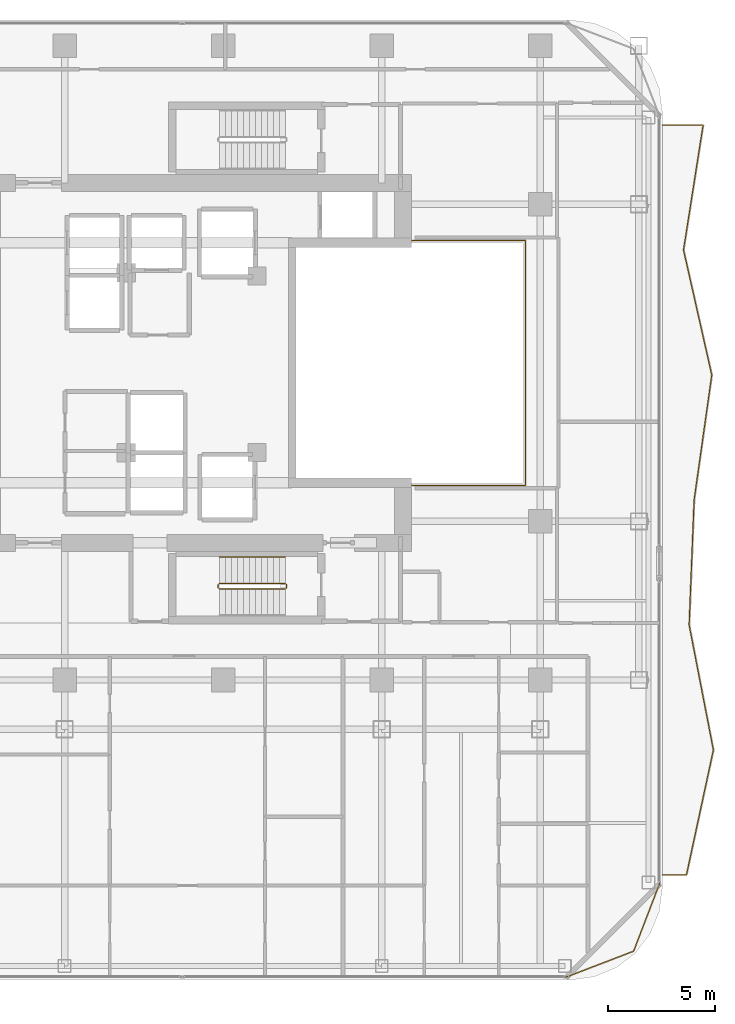
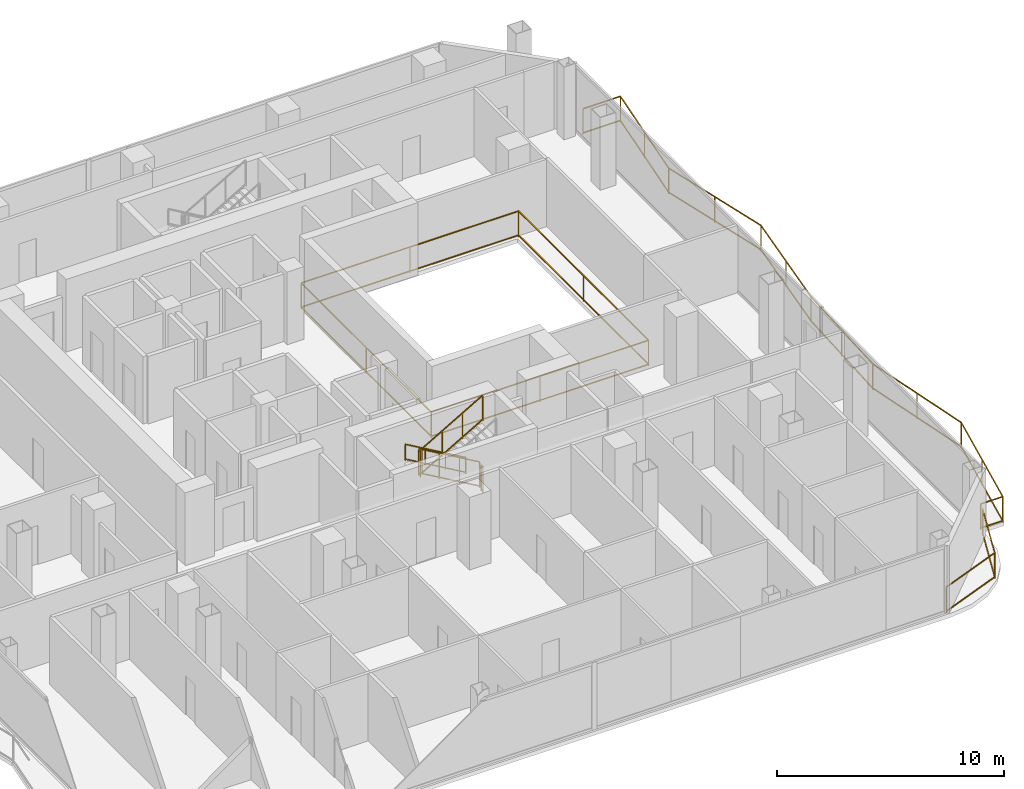
# One storey, part 22 of 23: 8 railings.
"""IFC4 building model written with IfcOpenShell, lengths in metres."""

from ifc_helpers import new_model, si_unit, direction, frame, origin, origin_2d, place, context, subcontext, project, spatial, rectangle, extrude, material, type_object, element, save


model = new_model("IFC4")

# Units and contexts
model_context = context("Model", 3, precision=1e-05, world=origin(), true_north=direction((0.0, 1.0)))
body_context = subcontext(model_context, "Body", "Model", "MODEL_VIEW")
ifc_project = project(units=[si_unit("LENGTHUNIT", "METRE"), si_unit("AREAUNIT", "SQUARE_METRE"), si_unit("VOLUMEUNIT", "CUBIC_METRE"), si_unit("PLANEANGLEUNIT", "RADIAN"), si_unit("MASSUNIT", "GRAM", prefix="KILO")], contexts=[model_context])

# Site, building, storey
site_placement = place(None, origin())
site = spatial("IfcSite", under=ifc_project, at=site_placement, CompositionType="ELEMENT")
building_placement = place(site_placement, origin())
building = spatial("IfcBuilding", under=site, at=building_placement, Name="Khorvyn Point Tower", CompositionType="ELEMENT")
storey_placement = place(building_placement, frame((0.0, 0.0, 207.0)))
storey = spatial("IfcBuildingStorey", under=building, at=storey_placement, Name="L51", CompositionType="ELEMENT", Elevation=207.0)

# Railings
ifc_material_1 = material(Name="Stainless steel 1.4401 and laminated glass", Category="steel")
railing_type_1 = type_object("IfcRailingType", Name="Crystal Atrium Smoke-Rated Perimeter Guardrail 1400", PredefinedType="GUARDRAIL", material=ifc_material_1)
railing_1_placement = place(storey_placement, frame((3.080078125, -5.719970703125, 0.0)))
element("IfcRailing", 1, at=railing_1_placement, inside=storey, type_object=railing_type_1, Name="L51 Crystal Atrium Perimeter Guardrail", PredefinedType="GUARDRAIL", context=body_context, shape_type="SweptSolid", body=[
    extrude(rectangle(XDim=0.048095703125, YDim=0.048095703125, at=origin_2d()), frame((0.0, 0.0, 1.3759765625), z_axis=(1.0, 0.0, 0.0), x_axis=(0.0, 1.0, 0.0)), (0.0, 0.0, 1.0), 11.0400390625),
    extrude(rectangle(XDim=0.048095703125, YDim=0.048095703125, at=origin_2d()), frame((0.0, 0.0, 0.080078125), z_axis=(1.0, 0.0, 0.0), x_axis=(0.0, 1.0, 0.0)), (0.0, 0.0, 1.0), 11.0400390625),
    extrude(rectangle(XDim=0.048095703125, YDim=0.048095703125, at=origin_2d()), frame((11.0400390625, 0.0, 1.3759765625), z_axis=(0.0, 1.0, 0.0), x_axis=(-1.0, 0.0, 0.0)), (0.0, 0.0, 1.0), 11.43994140625),
    extrude(rectangle(XDim=0.048095703125, YDim=0.048095703125, at=origin_2d()), frame((11.0400390625, 0.0, 0.080078125), z_axis=(0.0, 1.0, 0.0), x_axis=(-1.0, 0.0, 0.0)), (0.0, 0.0, 1.0), 11.43994140625),
    extrude(rectangle(XDim=0.048095703125, YDim=0.048095703125, at=origin_2d()), frame((11.0400390625, 11.43994140625, 1.3759765625), z_axis=(-1.0, 0.0, 0.0), x_axis=(0.0, -1.0, 0.0)), (0.0, 0.0, 1.0), 11.0400390625),
    extrude(rectangle(XDim=0.048095703125, YDim=0.048095703125, at=origin_2d()), frame((11.0400390625, 11.43994140625, 0.080078125), z_axis=(-1.0, 0.0, 0.0), x_axis=(0.0, -1.0, 0.0)), (0.0, 0.0, 1.0), 11.0400390625),
    extrude(rectangle(XDim=0.048095703125, YDim=0.048095703125, at=origin_2d()), frame((0.0, 11.43994140625, 1.3759765625), z_axis=(0.0, -1.0, 0.0), x_axis=(1.0, 0.0, 0.0)), (0.0, 0.0, 1.0), 11.409912109375),
    extrude(rectangle(XDim=0.048095703125, YDim=0.048095703125, at=origin_2d()), frame((0.0, 11.43994140625, 0.080078125), z_axis=(0.0, -1.0, 0.0), x_axis=(1.0, 0.0, 0.0)), (0.0, 0.0, 1.0), 11.409912109375),
    extrude(rectangle(XDim=0.0419921875, YDim=0.0419921875, at=origin_2d()), origin(), (0.0, 0.0, 1.0), 1.351806640625),
    extrude(rectangle(XDim=0.0419921875, YDim=0.0419921875, at=origin_2d()), frame((5.52001953125, 0.0, 0.0)), (0.0, 0.0, 1.0), 1.351806640625),
    extrude(rectangle(XDim=0.0419921875, YDim=0.0419921875, at=origin_2d()), frame((11.0400390625, 0.0, 0.0)), (0.0, 0.0, 1.0), 1.351806640625),
    extrude(rectangle(XDim=0.0419921875, YDim=0.0419921875, at=origin_2d()), frame((11.0400390625, 5.719970703125, 0.0)), (0.0, 0.0, 1.0), 1.351806640625),
    extrude(rectangle(XDim=0.0419921875, YDim=0.0419921875, at=origin_2d()), frame((11.0400390625, 11.43994140625, 0.0)), (0.0, 0.0, 1.0), 1.351806640625),
    extrude(rectangle(XDim=0.0419921875, YDim=0.0419921875, at=origin_2d()), frame((5.52001953125, 11.43994140625, 0.0)), (0.0, 0.0, 1.0), 1.351806640625),
    extrude(rectangle(XDim=0.0419921875, YDim=0.0419921875, at=origin_2d()), frame((0.0, 11.43994140625, 0.0)), (0.0, 0.0, 1.0), 1.351806640625),
    extrude(rectangle(XDim=0.0419921875, YDim=0.0419921875, at=origin_2d()), frame((0.0, 5.73486328125, 0.0)), (0.0, 0.0, 1.0), 1.351806640625),
    extrude(rectangle(XDim=0.0419921875, YDim=0.0419921875, at=origin_2d()), frame((0.0, 0.030029296875, 0.0)), (0.0, 0.0, 1.0), 1.351806640625),
])
ifc_material_2 = material(Name="Anodised aluminium 6063-T6 and laminated safety glass", Category="aluminium")
railing_type_2 = type_object("IfcRailingType", Name="Laminated Glass and Aluminium Balcony Guardrail 1400", PredefinedType="BALUSTRADE", material=ifc_material_2)
railing_2_placement = place(storey_placement, frame((15.981201171875, -28.67431640625, 0.0)))
element("IfcRailing", 2, at=railing_2_placement, inside=storey, type_object=railing_type_2, Name="L51 Rounded Corner Edge Guardrail SE", PredefinedType="BALUSTRADE", context=body_context, shape_type="SweptSolid", body=[
    extrude(rectangle(XDim=0.048095703125, YDim=0.048095703125, at=origin_2d()), frame((0.0, 0.0, 1.3759765625), z_axis=(0.933589651443, 0.358343916815, 0.0), x_axis=(-0.358343916815, 0.933589651443, 0.0)), (0.0, 0.0, 1.0), 3.400390625),
    extrude(rectangle(XDim=0.048095703125, YDim=0.048095703125, at=origin_2d()), frame((0.0, 0.0, 0.080078125), z_axis=(0.933589651443, 0.358343916815, 0.0), x_axis=(-0.358343916815, 0.933589651443, 0.0)), (0.0, 0.0, 1.0), 3.400390625),
    extrude(rectangle(XDim=0.048095703125, YDim=0.048095703125, at=origin_2d()), frame((3.174560546875, 1.218505859375, 1.3759765625), z_axis=(0.358343916815, 0.933589651443, 0.0), x_axis=(-0.933589651443, 0.358343916815, 0.0)), (0.0, 0.0, 1.0), 3.400390625),
    extrude(rectangle(XDim=0.048095703125, YDim=0.048095703125, at=origin_2d()), frame((3.174560546875, 1.218505859375, 0.080078125), z_axis=(0.358343916815, 0.933589651443, 0.0), x_axis=(-0.933589651443, 0.358343916815, 0.0)), (0.0, 0.0, 1.0), 3.400390625),
    extrude(rectangle(XDim=0.0419921875, YDim=0.0419921875, at=origin_2d()), origin(), (0.0, 0.0, 1.0), 1.351806640625),
    extrude(rectangle(XDim=0.0419921875, YDim=0.0419921875, at=origin_2d()), frame((3.174560546875, 1.218505859375, 0.0)), (0.0, 0.0, 1.0), 1.351806640625),
    extrude(rectangle(XDim=0.0419921875, YDim=0.0419921875, at=origin_2d()), frame((4.39306640625, 4.39306640625, 0.0)), (0.0, 0.0, 1.0), 1.351806640625),
])
railing_3_placement = place(storey_placement, frame((20.5, -23.89990234375, 0.0)))
element("IfcRailing", 3, at=railing_3_placement, inside=storey, type_object=railing_type_2, Name="L51 East Balcony Guardrail", PredefinedType="BALUSTRADE", context=body_context, shape_type="SweptSolid", body=[
    extrude(rectangle(XDim=0.048095703125, YDim=0.048095703125, at=origin_2d()), frame((0.0, 0.0, 1.3759765625), z_axis=(1.0, 0.0, 0.0), x_axis=(0.0, 1.0, 0.0)), (0.0, 0.0, 1.0), 1.11865234375),
    extrude(rectangle(XDim=0.048095703125, YDim=0.048095703125, at=origin_2d()), frame((0.0, 0.0, 0.080078125), z_axis=(1.0, 0.0, 0.0), x_axis=(0.0, 1.0, 0.0)), (0.0, 0.0, 1.0), 1.11865234375),
    extrude(rectangle(XDim=0.048095703125, YDim=0.048095703125, at=origin_2d()), frame((1.11865234375, 0.0, 1.3759765625), z_axis=(0.210939819258, 0.977499049949, 0.0), x_axis=(-0.977499049949, 0.210939819258, 0.0)), (0.0, 0.0, 1.0), 5.967529296875),
    extrude(rectangle(XDim=0.048095703125, YDim=0.048095703125, at=origin_2d()), frame((1.11865234375, 0.0, 0.080078125), z_axis=(0.210939819258, 0.977499049949, 0.0), x_axis=(-0.977499049949, 0.210939819258, 0.0)), (0.0, 0.0, 1.0), 5.967529296875),
    extrude(rectangle(XDim=0.048095703125, YDim=0.048095703125, at=origin_2d()), frame((2.37744140625, 5.833251953125, 1.3759765625), z_axis=(-0.190281248462, 0.981729619846, 0.0), x_axis=(-0.981729619846, -0.190281248462, 0.0)), (0.0, 0.0, 1.0), 5.94189453125),
    extrude(rectangle(XDim=0.048095703125, YDim=0.048095703125, at=origin_2d()), frame((2.37744140625, 5.833251953125, 0.080078125), z_axis=(-0.190281248462, 0.981729619846, 0.0), x_axis=(-0.981729619846, -0.190281248462, 0.0)), (0.0, 0.0, 1.0), 5.94189453125),
    extrude(rectangle(XDim=0.048095703125, YDim=0.048095703125, at=origin_2d()), frame((1.246826171875, 11.66650390625, 1.3759765625), z_axis=(0.039769299947, 0.999208888462, 0.0), x_axis=(-0.999208888462, 0.039769299947, 0.0)), (0.0, 0.0, 1.0), 5.838134765625),
    extrude(rectangle(XDim=0.048095703125, YDim=0.048095703125, at=origin_2d()), frame((1.246826171875, 11.66650390625, 0.080078125), z_axis=(0.039769299947, 0.999208888462, 0.0), x_axis=(-0.999208888462, 0.039769299947, 0.0)), (0.0, 0.0, 1.0), 5.838134765625),
    extrude(rectangle(XDim=0.048095703125, YDim=0.048095703125, at=origin_2d()), frame((1.47900390625, 17.5, 1.3759765625), z_axis=(0.139947544031, 0.990158919022, 0.0), x_axis=(-0.990158919022, 0.139947544031, 0.0)), (0.0, 0.0, 1.0), 5.89111328125),
    extrude(rectangle(XDim=0.048095703125, YDim=0.048095703125, at=origin_2d()), frame((1.47900390625, 17.5, 0.080078125), z_axis=(0.139947544031, 0.990158919022, 0.0), x_axis=(-0.990158919022, 0.139947544031, 0.0)), (0.0, 0.0, 1.0), 5.89111328125),
    extrude(rectangle(XDim=0.048095703125, YDim=0.048095703125, at=origin_2d()), frame((2.303466796875, 23.333251953125, 1.3759765625), z_axis=(-0.2206029152, 0.975363703346, 0.0), x_axis=(-0.975363703346, -0.2206029152, 0.0)), (0.0, 0.0, 1.0), 5.980712890625),
    extrude(rectangle(XDim=0.048095703125, YDim=0.048095703125, at=origin_2d()), frame((2.303466796875, 23.333251953125, 0.080078125), z_axis=(-0.2206029152, 0.975363703346, 0.0), x_axis=(-0.975363703346, -0.2206029152, 0.0)), (0.0, 0.0, 1.0), 5.980712890625),
    extrude(rectangle(XDim=0.048095703125, YDim=0.048095703125, at=origin_2d()), frame((0.984130859375, 29.16650390625, 1.3759765625), z_axis=(0.155004956576, 0.987913692301, 0.0), x_axis=(-0.987913692301, 0.155004956576, 0.0)), (0.0, 0.0, 1.0), 5.90478515625),
    extrude(rectangle(XDim=0.048095703125, YDim=0.048095703125, at=origin_2d()), frame((0.984130859375, 29.16650390625, 0.080078125), z_axis=(0.155004956576, 0.987913692301, 0.0), x_axis=(-0.987913692301, 0.155004956576, 0.0)), (0.0, 0.0, 1.0), 5.90478515625),
    extrude(rectangle(XDim=0.048095703125, YDim=0.048095703125, at=origin_2d()), frame((1.8994140625, 35.0, 1.3759765625), z_axis=(-1.0, 0.0, 0.0), x_axis=(0.0, -1.0, 0.0)), (0.0, 0.0, 1.0), 1.8994140625),
    extrude(rectangle(XDim=0.048095703125, YDim=0.048095703125, at=origin_2d()), frame((1.8994140625, 35.0, 0.080078125), z_axis=(-1.0, 0.0, 0.0), x_axis=(0.0, -1.0, 0.0)), (0.0, 0.0, 1.0), 1.8994140625),
    extrude(rectangle(XDim=0.0419921875, YDim=0.0419921875, at=origin_2d()), origin(), (0.0, 0.0, 1.0), 1.351806640625),
    extrude(rectangle(XDim=0.0419921875, YDim=0.0419921875, at=origin_2d()), frame((1.11865234375, 0.0, 0.0)), (0.0, 0.0, 1.0), 1.351806640625),
    extrude(rectangle(XDim=0.0419921875, YDim=0.0419921875, at=origin_2d()), frame((1.748046875, 2.91650390625, 0.0)), (0.0, 0.0, 1.0), 1.351806640625),
    extrude(rectangle(XDim=0.0419921875, YDim=0.0419921875, at=origin_2d()), frame((2.37744140625, 5.833251953125, 0.0)), (0.0, 0.0, 1.0), 1.351806640625),
    extrude(rectangle(XDim=0.0419921875, YDim=0.0419921875, at=origin_2d()), frame((1.81201171875, 8.75, 0.0)), (0.0, 0.0, 1.0), 1.351806640625),
    extrude(rectangle(XDim=0.0419921875, YDim=0.0419921875, at=origin_2d()), frame((1.246826171875, 11.66650390625, 0.0)), (0.0, 0.0, 1.0), 1.351806640625),
    extrude(rectangle(XDim=0.0419921875, YDim=0.0419921875, at=origin_2d()), frame((1.36279296875, 14.583251953125, 0.0)), (0.0, 0.0, 1.0), 1.351806640625),
    extrude(rectangle(XDim=0.0419921875, YDim=0.0419921875, at=origin_2d()), frame((1.47900390625, 17.5, 0.0)), (0.0, 0.0, 1.0), 1.351806640625),
    extrude(rectangle(XDim=0.0419921875, YDim=0.0419921875, at=origin_2d()), frame((1.89111328125, 20.41650390625, 0.0)), (0.0, 0.0, 1.0), 1.351806640625),
    extrude(rectangle(XDim=0.0419921875, YDim=0.0419921875, at=origin_2d()), frame((2.303466796875, 23.333251953125, 0.0)), (0.0, 0.0, 1.0), 1.351806640625),
    extrude(rectangle(XDim=0.0419921875, YDim=0.0419921875, at=origin_2d()), frame((1.643798828125, 26.25, 0.0)), (0.0, 0.0, 1.0), 1.351806640625),
    extrude(rectangle(XDim=0.0419921875, YDim=0.0419921875, at=origin_2d()), frame((0.984130859375, 29.16650390625, 0.0)), (0.0, 0.0, 1.0), 1.351806640625),
    extrude(rectangle(XDim=0.0419921875, YDim=0.0419921875, at=origin_2d()), frame((1.44189453125, 32.083251953125, 0.0)), (0.0, 0.0, 1.0), 1.351806640625),
    extrude(rectangle(XDim=0.0419921875, YDim=0.0419921875, at=origin_2d()), frame((1.8994140625, 35.0, 0.0)), (0.0, 0.0, 1.0), 1.351806640625),
    extrude(rectangle(XDim=0.0419921875, YDim=0.0419921875, at=origin_2d()), frame((0.0, 35.0, 0.0)), (0.0, 0.0, 1.0), 1.351806640625),
])
ifc_material_3 = material(Name="Stainless steel 1.4301", Category="steel")
railing_type_3 = type_object("IfcRailingType", Name="Stainless Steel 304 Stair Pitch Handrail 900", PredefinedType="HANDRAIL", material=ifc_material_3)
railing_4_placement = place(storey_placement, frame((2.89990234375, -9.070068359375, 0.16259765625)))
element("IfcRailing", 4, at=railing_4_placement, inside=storey, type_object=railing_type_3, Name="L51 ST-01 stair handrail 1", PredefinedType="HANDRAIL", context=body_context, shape_type="SweptSolid", body=[
    extrude(rectangle(XDim=0.048095703125, YDim=0.048095703125, at=origin_2d()), frame((0.0, 0.0, 0.8759765625), z_axis=(-0.864903211148, 0.0, 0.501938676878), x_axis=(0.0, -1.0, 0.0)), (0.0, 0.0, 1.0), 3.560791015625),
    extrude(rectangle(XDim=0.048095703125, YDim=0.048095703125, at=origin_2d()), frame((0.0, 0.0, 0.080078125), z_axis=(-0.864903211148, 0.0, 0.501938676878), x_axis=(0.0, -1.0, 0.0)), (0.0, 0.0, 1.0), 3.560791015625),
    extrude(rectangle(XDim=0.0419921875, YDim=0.0419921875, at=origin_2d()), origin(), (0.0, 0.0, 1.0), 0.851806640625),
    extrude(rectangle(XDim=0.0419921875, YDim=0.0419921875, at=origin_2d()), frame((-1.026611328125, 0.0, 0.595703125)), (0.0, 0.0, 1.0), 0.851806640625),
    extrude(rectangle(XDim=0.0419921875, YDim=0.0419921875, at=origin_2d()), frame((-2.05322265625, 0.0, 1.191650390625)), (0.0, 0.0, 1.0), 0.851806640625),
    extrude(rectangle(XDim=0.0419921875, YDim=0.0419921875, at=origin_2d()), frame((-3.079833984375, 0.0, 1.787353515625)), (0.0, 0.0, 1.0), 0.851806640625),
])
railing_type_4 = type_object("IfcRailingType", Name="Stainless Steel 304 Stair Well Guardrail 1400", PredefinedType="GUARDRAIL", material=ifc_material_3)
railing_5_placement = place(storey_placement, frame((2.89990234375, -10.2900390625, 0.16259765625)))
element("IfcRailing", 5, at=railing_5_placement, inside=storey, type_object=railing_type_4, Name="L51 ST-01 stair guard 1", PredefinedType="GUARDRAIL", context=body_context, shape_type="SweptSolid", body=[
    extrude(rectangle(XDim=0.048095703125, YDim=0.048095703125, at=origin_2d()), frame((0.0, 0.0, 1.3759765625), z_axis=(-0.864903211148, 0.0, 0.501938676878), x_axis=(0.0, -1.0, 0.0)), (0.0, 0.0, 1.0), 3.560791015625),
    extrude(rectangle(XDim=0.048095703125, YDim=0.048095703125, at=origin_2d()), frame((0.0, 0.0, 0.080078125), z_axis=(-0.864903211148, 0.0, 0.501938676878), x_axis=(0.0, -1.0, 0.0)), (0.0, 0.0, 1.0), 3.560791015625),
    extrude(rectangle(XDim=0.0419921875, YDim=0.0419921875, at=origin_2d()), origin(), (0.0, 0.0, 1.0), 1.351806640625),
    extrude(rectangle(XDim=0.0419921875, YDim=0.0419921875, at=origin_2d()), frame((-1.026611328125, 0.0, 0.595703125)), (0.0, 0.0, 1.0), 1.351806640625),
    extrude(rectangle(XDim=0.0419921875, YDim=0.0419921875, at=origin_2d()), frame((-2.05322265625, 0.0, 1.191650390625)), (0.0, 0.0, 1.0), 1.351806640625),
    extrude(rectangle(XDim=0.0419921875, YDim=0.0419921875, at=origin_2d()), frame((-3.079833984375, 0.0, 1.787353515625)), (0.0, 0.0, 1.0), 1.351806640625),
])
railing_6_placement = place(storey_placement, frame((-0.22998046875, -10.340087890625, 1.949951171875)))
element("IfcRailing", 6, at=railing_6_placement, inside=storey, type_object=railing_type_4, Name="L51 ST-01 stair guard 2", PredefinedType="GUARDRAIL", context=body_context, shape_type="SweptSolid", body=[
    extrude(rectangle(XDim=0.048095703125, YDim=0.048095703125, at=origin_2d()), frame((0.0, 0.0, 1.3759765625), z_axis=(0.0, -1.0, 0.0), x_axis=(1.0, 0.0, 0.0)), (0.0, 0.0, 1.0), 0.159912109375),
    extrude(rectangle(XDim=0.048095703125, YDim=0.048095703125, at=origin_2d()), frame((0.0, 0.0, 0.080078125), z_axis=(0.0, -1.0, 0.0), x_axis=(1.0, 0.0, 0.0)), (0.0, 0.0, 1.0), 0.159912109375),
    extrude(rectangle(XDim=0.0419921875, YDim=0.0419921875, at=origin_2d()), origin(), (0.0, 0.0, 1.0), 1.351806640625),
    extrude(rectangle(XDim=0.0419921875, YDim=0.0419921875, at=origin_2d()), frame((0.0, -0.159912109375, 0.0)), (0.0, 0.0, 1.0), 1.351806640625),
])
railing_7_placement = place(storey_placement, frame((-0.179931640625, -10.550048828125, 2.112548828125)))
element("IfcRailing", 7, at=railing_7_placement, inside=storey, type_object=railing_type_4, Name="L51 ST-01 stair guard 3", PredefinedType="GUARDRAIL", context=body_context, shape_type="SweptSolid", body=[
    extrude(rectangle(XDim=0.048095703125, YDim=0.048095703125, at=origin_2d()), frame((0.0, 0.0, 1.3759765625), z_axis=(0.864903211148, 0.0, 0.501938676878), x_axis=(0.0, 1.0, 0.0)), (0.0, 0.0, 1.0), 3.560791015625),
    extrude(rectangle(XDim=0.048095703125, YDim=0.048095703125, at=origin_2d()), frame((0.0, 0.0, 0.080078125), z_axis=(0.864903211148, 0.0, 0.501938676878), x_axis=(0.0, 1.0, 0.0)), (0.0, 0.0, 1.0), 3.560791015625),
    extrude(rectangle(XDim=0.0419921875, YDim=0.0419921875, at=origin_2d()), origin(), (0.0, 0.0, 1.0), 1.351806640625),
    extrude(rectangle(XDim=0.0419921875, YDim=0.0419921875, at=origin_2d()), frame((1.026611328125, 0.0, 0.595703125)), (0.0, 0.0, 1.0), 1.351806640625),
    extrude(rectangle(XDim=0.0419921875, YDim=0.0419921875, at=origin_2d()), frame((2.05322265625, 0.0, 1.191650390625)), (0.0, 0.0, 1.0), 1.351806640625),
    extrude(rectangle(XDim=0.0419921875, YDim=0.0419921875, at=origin_2d()), frame((3.079833984375, 0.0, 1.787353515625)), (0.0, 0.0, 1.0), 1.351806640625),
])
railing_8_placement = place(storey_placement, frame((2.949951171875, -10.340087890625, 0.0)))
element("IfcRailing", 8, at=railing_8_placement, inside=storey, type_object=railing_type_4, Name="L51 ST-01 stair guard 4", PredefinedType="GUARDRAIL", context=body_context, shape_type="SweptSolid", body=[
    extrude(rectangle(XDim=0.048095703125, YDim=0.048095703125, at=origin_2d()), frame((0.0, 0.0, 1.3759765625), z_axis=(0.0, -1.0, 0.0), x_axis=(1.0, 0.0, 0.0)), (0.0, 0.0, 1.0), 0.159912109375),
    extrude(rectangle(XDim=0.048095703125, YDim=0.048095703125, at=origin_2d()), frame((0.0, 0.0, 0.080078125), z_axis=(0.0, -1.0, 0.0), x_axis=(1.0, 0.0, 0.0)), (0.0, 0.0, 1.0), 0.159912109375),
    extrude(rectangle(XDim=0.0419921875, YDim=0.0419921875, at=origin_2d()), origin(), (0.0, 0.0, 1.0), 1.351806640625),
    extrude(rectangle(XDim=0.0419921875, YDim=0.0419921875, at=origin_2d()), frame((0.0, -0.159912109375, 0.0)), (0.0, 0.0, 1.0), 1.351806640625),
])

save(model, "model.ifc")
